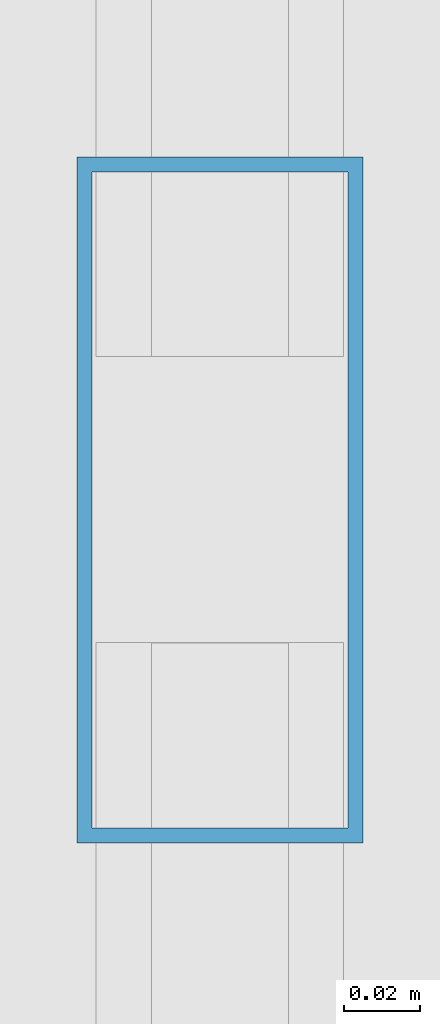
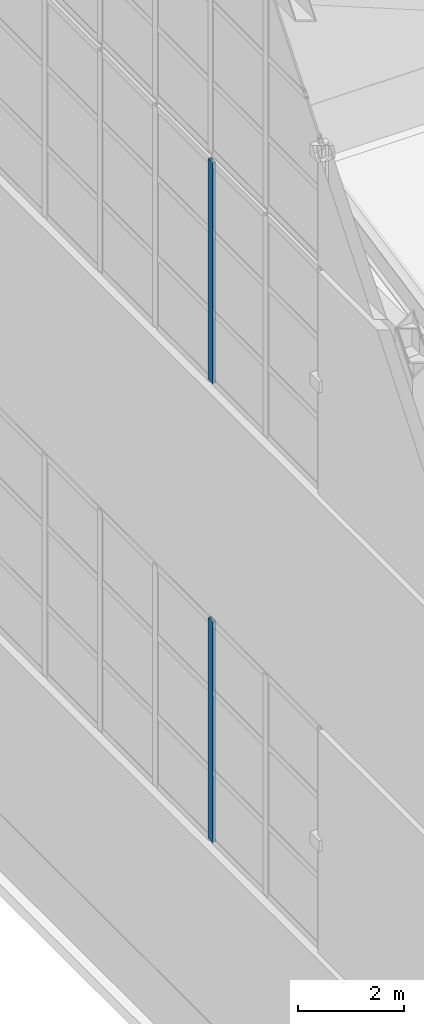
# One storey, part 8 of 47: 2 members, 2 elements without a shape of their own.
"""IFC4 building model written with IfcOpenShell, lengths in metres."""

import ifcopenshell
import ifcopenshell.guid

model = None  # the IFC model being written
_history = None  # IfcOwnerHistory: only IFC2X3 demands one
_inside = {}  # id of a spatial element -> (the spatial element, [elements in it])
_under = {}  # id of a project, library or spatial element -> (it, [spatial elements below it])
_declared = {}  # id of a project -> (the project, [libraries it declares])
_typed = {}  # id of a type object -> (the type object, [elements of that type])
_made_of = {}  # id of a material, layer set ... -> (it, [elements and type objects made of it])


def new_model(schema):
    """Start an empty IFC model of exactly this schema.

    Asked for "IFC4X3", IfcOpenShell would pick the latest addendum, in which some entities
    have other attributes; the version numbers below select the first issue.
    IFC2X3 requires an IfcOwnerHistory on every rooted entity: one is made here for all.
    """
    global model, _history
    if schema == "IFC4X3":
        model = ifcopenshell.file(schema_version=(4, 3, 0, 0))
    else:
        model = ifcopenshell.file(schema=schema)
    _inside.clear()
    _under.clear()
    _declared.clear()
    _typed.clear()
    _made_of.clear()
    _history = None
    if model.schema == "IFC2X3":
        org = make("IfcOrganization", Name="unknown")
        user = make(
            "IfcPersonAndOrganization",
            ThePerson=make("IfcPerson", FamilyName="unknown"),
            TheOrganization=org,
        )
        app = make(
            "IfcApplication",
            ApplicationDeveloper=org,
            Version="unknown",
            ApplicationFullName="unknown",
            ApplicationIdentifier="unknown",
        )
        _history = make(
            "IfcOwnerHistory",
            OwningUser=user,
            OwningApplication=app,
            ChangeAction="ADDED",
            CreationDate=0,
        )
    return model


def make(cls, **values):
    """One entity of the class cls with the attributes given. An attribute that is None is left unset."""
    return model.create_entity(
        cls, **{name: value for name, value in values.items() if value is not None}
    )


def rooted(cls, **values):
    """An entity with a GlobalId (a new one), such as an element, a storey or a relation."""
    return make(cls, GlobalId=ifcopenshell.guid.new(), OwnerHistory=_history, **values)


def si_unit(unit_type, name, prefix=None):
    """IfcSIUnit, for example si_unit("LENGTHUNIT", "METRE", prefix="MILLI")."""
    return make("IfcSIUnit", UnitType=unit_type, Prefix=prefix, Name=name)


def assignment(units):
    """IfcUnitAssignment: the units of a project."""
    return None if units is None else make("IfcUnitAssignment", Units=units)


def point(xyz):
    """IfcCartesianPoint."""
    return None if xyz is None else make("IfcCartesianPoint", Coordinates=xyz)


def direction(xyz):
    """IfcDirection."""
    return None if xyz is None else make("IfcDirection", DirectionRatios=xyz)


def frame(location, z_axis=None, x_axis=None):
    """IfcAxis2Placement3D, a coordinate frame: its origin and axes. An axis left out is left unset."""
    return make(
        "IfcAxis2Placement3D",
        Location=point(location),
        Axis=direction(z_axis),
        RefDirection=direction(x_axis),
    )


def frame_2d(location, x_axis=None):
    """IfcAxis2Placement2D, a coordinate frame in the plane: its origin and x axis."""
    return make(
        "IfcAxis2Placement2D", Location=point(location), RefDirection=direction(x_axis)
    )


def origin():
    """The frame at (0, 0, 0) with its axes left unset."""
    return frame((0.0, 0.0, 0.0))


def origin_2d():
    """The frame at (0, 0) in the plane with its x axis left unset."""
    return frame_2d((0.0, 0.0))


def place(relative_to, where):
    """IfcLocalPlacement: puts the frame where relative to a parent placement (None: the world)."""
    return make(
        "IfcLocalPlacement", PlacementRelTo=relative_to, RelativePlacement=where
    )


def context(
    kind, dimensions, precision=None, world=None, true_north=None, identifier=None
):
    """IfcGeometricRepresentationContext, for example the 3D "Model" context."""
    return make(
        "IfcGeometricRepresentationContext",
        ContextIdentifier=identifier,
        ContextType=kind,
        CoordinateSpaceDimension=dimensions,
        Precision=precision,
        WorldCoordinateSystem=world,
        TrueNorth=true_north,
    )


def subcontext(parent, identifier, kind, view, scale=None):
    """IfcGeometricRepresentationSubContext, for example "Body" below "Model"."""
    return make(
        "IfcGeometricRepresentationSubContext",
        ContextIdentifier=identifier,
        ContextType=kind,
        ParentContext=parent,
        TargetScale=scale,
        TargetView=view,
    )


def project(units=None, contexts=None):
    """IfcProject with its units and contexts."""
    return rooted(
        "IfcProject",
        Name="project",
        RepresentationContexts=contexts,
        UnitsInContext=assignment(units),
    )


def spatial(cls, under=None, at=None, **own):
    """A site, building, storey or space (cls), placed at a placement, below another one or the project."""
    s = rooted(cls, ObjectPlacement=at, **own)
    if under is not None:
        _under.setdefault(under.id(), (under, []))[1].append(s)
    return s


def profile(cls, at=None, kind="AREA", **sizes):
    """A parametric profile (cls). Its sizes go by their IFC names, for example OverallWidth=200.0."""
    return make(cls, ProfileType=kind, Position=at, **sizes)


def hollow_rectangle(**sizes):
    """IfcRectangleHollowProfileDef."""
    return profile("IfcRectangleHollowProfileDef", **sizes)


def extrude(swept, where, along, depth):
    """IfcExtrudedAreaSolid: the profile swept, set in the frame where, extruded along a direction by depth."""
    return make(
        "IfcExtrudedAreaSolid",
        SweptArea=swept,
        Position=where,
        ExtrudedDirection=direction(along),
        Depth=depth,
    )


def shape(context_of_items, identifier, shape_type, items):
    """IfcShapeRepresentation: the items that make up one representation, for example the "Body"."""
    return make(
        "IfcShapeRepresentation",
        ContextOfItems=context_of_items,
        RepresentationIdentifier=identifier,
        RepresentationType=shape_type,
        Items=items,
    )


def material(Name=None, Category=None):
    """IfcMaterial."""
    return make("IfcMaterial", Name=Name, Category=Category)


def layer(
    of_material, thickness, ventilated=None, Name=None, Category=None, Priority=None
):
    """IfcMaterialLayer: one layer of a wall or slab, of a material (None: an air gap)."""
    return make(
        "IfcMaterialLayer",
        Material=of_material,
        LayerThickness=thickness,
        IsVentilated=ventilated,
        Name=Name,
        Category=Category,
        Priority=Priority,
    )


def layer_set(layers, Name=None):
    """IfcMaterialLayerSet."""
    return make("IfcMaterialLayerSet", MaterialLayers=layers, LayerSetName=Name)


def material_profile(
    of_material, cross_section, Name=None, Category=None, Priority=None
):
    """IfcMaterialProfile: a cross section and its material."""
    return make(
        "IfcMaterialProfile",
        Name=Name,
        Material=of_material,
        Profile=cross_section,
        Priority=Priority,
        Category=Category,
    )


def profile_set(profiles, Name=None, composite=None):
    """IfcMaterialProfileSet."""
    return make(
        "IfcMaterialProfileSet",
        Name=Name,
        MaterialProfiles=profiles,
        CompositeProfile=composite,
    )


def made_of(thing, what):
    """Note that an element or type object is made of a material, layer set ...; save() writes the relation."""
    if what is not None:
        _made_of.setdefault(what.id(), (what, []))[1].append(thing)
    return thing


def type_object(cls, material=None, **own):
    """A type object (cls), such as IfcWallType, which elements share."""
    return made_of(rooted(cls, **own), material)


def element(
    cls,
    number,
    at=None,
    inside=None,
    cuts=None,
    type_object=None,
    material=None,
    context=None,
    identifier="Body",
    shape_type=None,
    held_by="IfcProductDefinitionShape",
    body=None,
    shapes=None,
    **own,
):
    """One element of the class cls, such as IfcWall. Its Tag is "e" and its number.

    at: its placement. inside: the storey or other place that contains it. cuts: it is an
    opening in that element (IfcRelVoidsElement). A single representation is given by context,
    identifier, shape_type and body (its items); several are given by shapes. held_by: the class
    of the entity that holds the representations. save() writes the other relations.
    """
    e = rooted(cls, Tag="e%d" % number, ObjectPlacement=at, **own)
    if body is not None:
        shapes = [shape(context, identifier, shape_type, body)]
    if shapes is not None:
        e.Representation = make(held_by, Representations=shapes)
    if inside is not None:
        _inside.setdefault(inside.id(), (inside, []))[1].append(e)
    if cuts is not None:
        rooted(
            "IfcRelVoidsElement", RelatingBuildingElement=cuts, RelatedOpeningElement=e
        )
    if type_object is not None:
        _typed.setdefault(type_object.id(), (type_object, []))[1].append(e)
    return made_of(e, material)


def aggregate(whole, parts):
    """IfcRelAggregates: a whole, such as a stair, and the parts it consists of."""
    return rooted("IfcRelAggregates", RelatingObject=whole, RelatedObjects=parts)


def save(model, path):
    """Write the relations noted so far, then the file.

    IfcRelAggregates (storeys below a building ...), IfcRelContainedInSpatialStructure (elements
    in a storey), IfcRelDefinesByType, IfcRelAssociatesMaterial and IfcRelDeclares: one each for
    every whole, place, type object, material and project.
    """
    for whole, parts in _under.values():
        aggregate(whole, parts)
    for where, things in _inside.values():
        rooted(
            "IfcRelContainedInSpatialStructure",
            RelatedElements=things,
            RelatingStructure=where,
        )
    for kind, things in _typed.values():
        rooted("IfcRelDefinesByType", RelatedObjects=things, RelatingType=kind)
    for what, things in _made_of.values():
        rooted("IfcRelAssociatesMaterial", RelatedObjects=things, RelatingMaterial=what)
    for by, libraries in _declared.values():
        rooted("IfcRelDeclares", RelatingContext=by, RelatedDefinitions=libraries)
    model.write(path)


model = new_model("IFC4")

# Units and contexts
model_context = context("Model", 3, precision=1e-05, world=origin(), true_north=direction((0.0, 1.0)))
body_context = subcontext(model_context, "Body", "Model", "MODEL_VIEW")
ifc_project = project(units=[si_unit("LENGTHUNIT", "METRE"), si_unit("AREAUNIT", "SQUARE_METRE"), si_unit("VOLUMEUNIT", "CUBIC_METRE"), si_unit("PLANEANGLEUNIT", "RADIAN"), si_unit("MASSUNIT", "GRAM", prefix="KILO")], contexts=[model_context])

# Site, building, storey
site_placement = place(None, origin())
site = spatial("IfcSite", under=ifc_project, at=site_placement, CompositionType="ELEMENT")
building_placement = place(site_placement, origin())
building = spatial("IfcBuilding", under=site, at=building_placement, Name="Qiaolan Cultural Towers", CompositionType="ELEMENT")
storey_placement = place(building_placement, frame((0.0, 0.0, 280.199951171875)))
storey = spatial("IfcBuildingStorey", under=building, at=storey_placement, Name="RF", CompositionType="ELEMENT", Elevation=280.199951171875)

# Curtain wall, member
ifc_material_1 = material(Name="Unitized Anodized Aluminium Curtain Wall System", Category="aluminium")
ifc_layer = layer(ifc_material_1, 0.199951171875)
ifc_layer_set = layer_set([ifc_layer], Name="Unitized Anodized Aluminium Curtain Wall System")
curtain_wall_type = type_object("IfcCurtainWallType", Name="CWS-06", PredefinedType="NOTDEFINED", material=ifc_layer_set)
curtain_wall_1_placement = place(storey_placement, origin())
curtain_wall_1 = element("IfcCurtainWall", 1, at=curtain_wall_1_placement, inside=storey, type_object=curtain_wall_type, Name="T1 Crown Tier 2 Fritted Screen Curtain Wall 7", PredefinedType="NOTDEFINED")
ifc_material_2 = material(Name="Extruded Aluminium 6063-T6", Category="aluminium")
ifc_material_profile = material_profile(ifc_material_2, hollow_rectangle(XDim=0.074951171875, YDim=0.179931640625, WallThickness=0.00390625, at=origin_2d()), Name="CWM-180x75x4")
ifc_profile_set = profile_set([ifc_material_profile], Name="Extruded Aluminium 6063-T6")
member_type = type_object("IfcMemberType", Name="CWS-06-MUL", PredefinedType="MULLION", material=ifc_profile_set)
member_1_placement = place(storey_placement, frame((14.949951171875, 31.909912109375, 5.400146484375), z_axis=(0.0, 0.0, 1.0), x_axis=(1.0, 0.0, 0.0)))
member_1 = element("IfcMember", 2, at=member_1_placement, type_object=member_type, Name="CW-6 mullion 5", PredefinedType="MULLION", context=body_context, shape_type="SweptSolid", body=[
    extrude(hollow_rectangle(XDim=0.074951171875, YDim=0.179931640625, WallThickness=0.00390625, at=origin_2d()), origin(), (0.0, 0.0, 1.0), 5.099853515625),
])
aggregate(curtain_wall_1, [member_1])

curtain_wall_2_placement = place(storey_placement, origin())
curtain_wall_2 = element("IfcCurtainWall", 3, at=curtain_wall_2_placement, inside=storey, type_object=curtain_wall_type, Name="T1 Crown Tier 4 Fritted Screen Curtain Wall 7", PredefinedType="NOTDEFINED")
member_2_placement = place(storey_placement, frame((14.949951171875, 31.909912109375, 16.0), z_axis=(0.0, 0.0, 1.0), x_axis=(1.0, 0.0, 0.0)))
member_2 = element("IfcMember", 4, at=member_2_placement, type_object=member_type, Name="CW-6 mullion 5", PredefinedType="MULLION", context=body_context, shape_type="SweptSolid", body=[
    extrude(hollow_rectangle(XDim=0.074951171875, YDim=0.179931640625, WallThickness=0.00390625, at=origin_2d()), origin(), (0.0, 0.0, 1.0), 5.10009765625),
])
aggregate(curtain_wall_2, [member_2])

save(model, "model.ifc")
